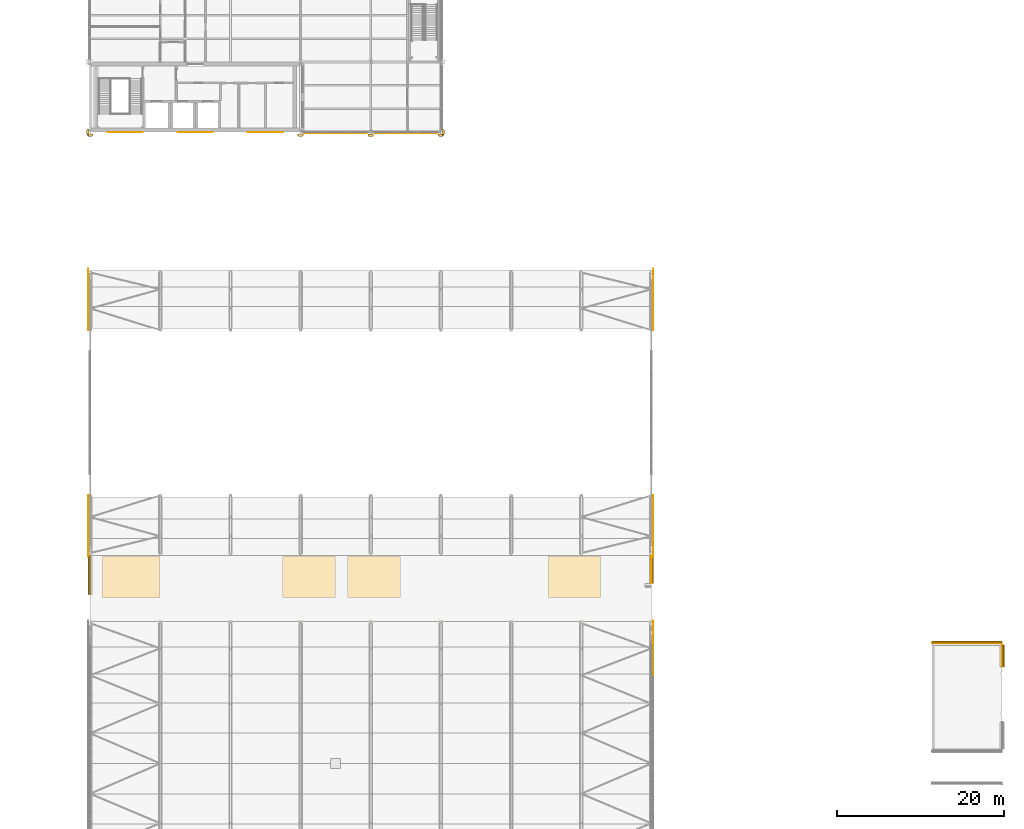
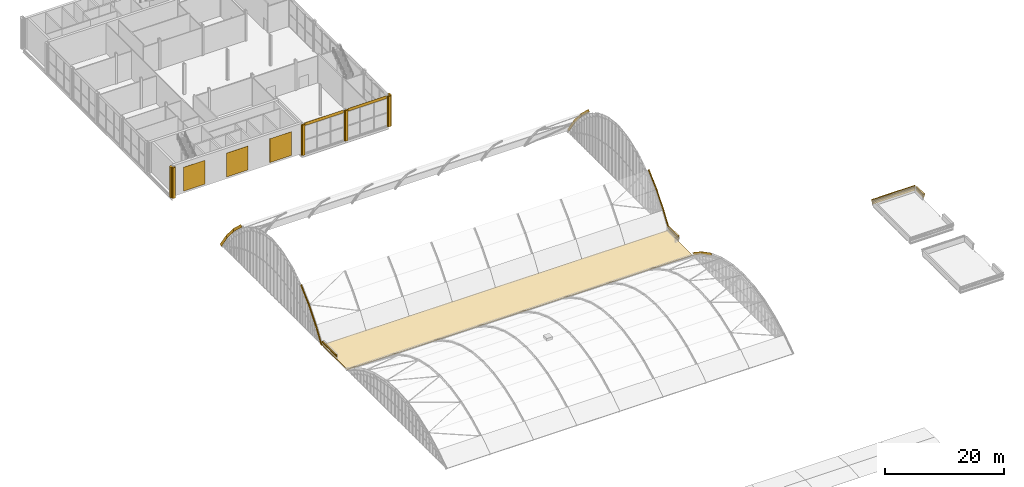
# One storey, part 71 of 77: 41 coverings.
"""IFC4 building model written with IfcOpenShell, lengths in metres."""

from ifc_helpers import new_model, si_unit, direction, frame, origin, origin_2d, place, context, subcontext, project, spatial, polyline, rectangle, outline, extrude, material, layer, layer_set, type_object, element, save


model = new_model("IFC4")

# Units and contexts
model_context = context("Model", 3, precision=1e-05, world=origin(), true_north=direction((0.0, 1.0)))
body_context = subcontext(model_context, "Body", "Model", "MODEL_VIEW")
ifc_project = project(units=[si_unit("LENGTHUNIT", "METRE"), si_unit("AREAUNIT", "SQUARE_METRE"), si_unit("VOLUMEUNIT", "CUBIC_METRE"), si_unit("PLANEANGLEUNIT", "RADIAN"), si_unit("MASSUNIT", "GRAM", prefix="KILO")], contexts=[model_context])

# Site, building, storey
site_placement = place(None, origin())
site = spatial("IfcSite", under=ifc_project, at=site_placement, CompositionType="ELEMENT")
building_placement = place(site_placement, origin())
building = spatial("IfcBuilding", under=site, at=building_placement, Name="Catenary Quay Ferry Terminal", CompositionType="ELEMENT")
storey_placement = place(building_placement, frame((0.0, 0.0, 10.800048828125)))
storey = spatial("IfcBuildingStorey", under=building, at=storey_placement, Name="L02", CompositionType="ELEMENT", Elevation=10.800048828125)

# Coverings
ifc_material_1 = material(Name="Pale glazed ceramic tile")
ifc_layer_1 = layer(ifc_material_1, 0.0400390625)
ifc_layer_set_1 = layer_set([ifc_layer_1], Name="AR1")
covering_type_1 = type_object("IfcCoveringType", Name="AR1", PredefinedType="CLADDING", material=ifc_layer_set_1)
covering_1_placement = place(storey_placement, frame((92.603271484375, 94.764892578125, 4.14208984375), z_axis=(-1.0, 0.0, 0.0), x_axis=(0.0, 0.88758305277, -0.460647722708)))
element("IfcCovering", 1, at=covering_1_placement, inside=storey, type_object=covering_type_1, Name="Archivolt band, arrivals vault gable", PredefinedType="CLADDING", context=body_context, shape_type="SweptSolid", body=[
    extrude(outline(polyline([(0.0, 0.0), (3.6861097171876316, 0.0), (3.6587060927403625, 0.4999822377870389), (0.031019106121032147, 0.5001932733444822), (0.0, 0.0)])), origin(), (0.0, 0.0, -1.0), 0.0400390625),
])
covering_2_placement = place(storey_placement, frame((92.603271484375, 98.03662109375, 2.444091796875), z_axis=(-1.0, 0.0, 0.0), x_axis=(0.0, 0.83193723862, -0.55486974237)))
element("IfcCovering", 2, at=covering_2_placement, inside=storey, type_object=covering_type_1, Name="Archivolt band, arrivals vault gable", PredefinedType="CLADDING", context=body_context, shape_type="SweptSolid", body=[
    extrude(outline(polyline([(0.0, 0.0), (3.655049134979624, 2.220446049250313e-16), (3.655151024121685, 0.4999885453955979), (0.027389996373159503, 0.4999829845445347), (0.0, 0.0)])), origin(), (0.0, 0.0, -1.0), 0.0400390625),
])
covering_3_placement = place(storey_placement, frame((24.996826171875, 109.199951171875, 0.0), z_axis=(1.0, 0.0, 0.0), x_axis=(0.0, 0.561336762899, 0.827587480945)))
element("IfcCovering", 3, at=covering_3_placement, inside=storey, type_object=covering_type_1, Name="Archivolt band, departure vault gable", PredefinedType="CLADDING", context=body_context, shape_type="SweptSolid", body=[
    extrude(outline(polyline([(0.0, 0.0), (3.589889086083187, 2.220446049250313e-16), (3.6138558580286704, 0.5000607968456283), (6.342528629216249e-05, 0.5000727679533288), (0.0, 0.0)])), origin(), (0.0, 0.0, -1.0), 0.0400390625),
])
covering_4_placement = place(storey_placement, frame((24.996826171875, 111.215087890625, 2.970947265625), z_axis=(1.0, 0.0, 0.0), x_axis=(0.0, 0.638329973705, 0.769762849629)))
element("IfcCovering", 4, at=covering_4_placement, inside=storey, type_object=covering_type_1, Name="Archivolt band, departure vault gable", PredefinedType="CLADDING", context=body_context, shape_type="SweptSolid", body=[
    extrude(outline(polyline([(0.0, 0.0), (3.5906071811031364, 0.0), (3.622041023568639, 0.5002260090818236), (-0.02423903539631933, 0.5000476735896562), (0.0, 0.0)])), origin(), (0.0, 0.0, -1.0), 0.0400390625),
])
covering_5_placement = place(storey_placement, frame((24.996826171875, 113.507080078125, 5.73486328125), z_axis=(1.0, 0.0, 0.0), x_axis=(0.0, 0.729556292242, 0.683920767669)))
element("IfcCovering", 5, at=covering_5_placement, inside=storey, type_object=covering_type_1, Name="Archivolt band, departure vault gable", PredefinedType="CLADDING", context=body_context, shape_type="SweptSolid", body=[
    extrude(outline(polyline([(0.0, 0.0), (3.589711324845669, 0.0), (3.6307405176421215, 0.4999772498289885), (-0.03135013105262563, 0.5002312624147534), (0.0, 0.0)])), origin(), (0.0, 0.0, -1.0), 0.0400390625),
])
covering_6_placement = place(storey_placement, frame((24.996826171875, 135.8740234375, 8.18994140625), z_axis=(1.0, 0.0, 0.0), x_axis=(0.0, 0.729556292242, -0.683920767669)))
element("IfcCovering", 6, at=covering_6_placement, inside=storey, type_object=covering_type_1, Name="Archivolt band, departure vault gable", PredefinedType="CLADDING", context=body_context, shape_type="SweptSolid", body=[
    extrude(outline(polyline([(0.0, 0.0), (3.589711324845669, 0.0), (3.621061455898295, 0.5002312624147536), (-0.041029192796452174, 0.49997724982898845), (0.0, 0.0)])), origin(), (0.0, 0.0, -1.0), 0.0400390625),
])
covering_7_placement = place(storey_placement, frame((24.996826171875, 138.492919921875, 5.73486328125), z_axis=(1.0, 0.0, 0.0), x_axis=(0.0, 0.638329973705, -0.769762849629)))
element("IfcCovering", 7, at=covering_7_placement, inside=storey, type_object=covering_type_1, Name="Archivolt band, departure vault gable", PredefinedType="CLADDING", context=body_context, shape_type="SweptSolid", body=[
    extrude(outline(polyline([(0.0, 0.0), (3.5906071811031364, 0.0), (3.6148462164994557, 0.5000476735896562), (-0.031433842465502404, 0.5002260090818236), (0.0, 0.0)])), origin(), (0.0, 0.0, -1.0), 0.0400390625),
])
covering_8_placement = place(storey_placement, frame((24.996826171875, 140.784912109375, 2.970947265625), z_axis=(1.0, 0.0, 0.0), x_axis=(0.0, 0.561336762899, -0.827587480945)))
element("IfcCovering", 8, at=covering_8_placement, inside=storey, type_object=covering_type_1, Name="Archivolt band, departure vault gable", PredefinedType="CLADDING", context=body_context, shape_type="SweptSolid", body=[
    extrude(outline(polyline([(0.0, 0.0), (3.589889086083187, -2.220446049250313e-16), (3.589825660796895, 0.5000727679533286), (-0.023966771945483523, 0.5000607968456281), (0.0, 0.0)])), origin(), (0.0, 0.0, -1.0), 0.0400390625),
])
covering_9_placement = place(storey_placement, frame((92.603271484375, 108.7861328125, 0.28076171875), z_axis=(-1.0, 0.0, 0.0), x_axis=(0.0, 0.561339504376, 0.827585621448)))
element("IfcCovering", 9, at=covering_9_placement, inside=storey, type_object=covering_type_1, Name="Archivolt band, departure vault gable", PredefinedType="CLADDING", context=body_context, shape_type="SweptSolid", body=[
    extrude(outline(polyline([(0.0, 0.0), (3.6137924327622066, 0.0), (3.589827317326399, 0.5000608762356038), (-6.17687370918496e-05, 0.5000727681606887), (0.0, 0.0)])), origin(), (0.0, 0.0, -1.0), 0.0400390625),
])
covering_10_placement = place(storey_placement, frame((92.603271484375, 110.814697265625, 3.271484375), z_axis=(-1.0, 0.0, 0.0), x_axis=(0.0, 0.638292324699, 0.769794068716)))
element("IfcCovering", 10, at=covering_10_placement, inside=storey, type_object=covering_type_1, Name="Archivolt band, departure vault gable", PredefinedType="CLADDING", context=body_context, shape_type="SweptSolid", body=[
    extrude(outline(polyline([(0.0, 0.0), (3.6462800633260533, -2.220446049250313e-16), (3.6148217554018123, 0.5002244710893484), (0.024214578593183933, 0.5000488584957733), (0.0, 0.0)])), origin(), (0.0, 0.0, -1.0), 0.0400390625),
])
covering_11_placement = place(storey_placement, frame((92.603271484375, 113.14208984375, 6.078369140625), z_axis=(-1.0, 0.0, 0.0), x_axis=(0.0, 0.729603729095, 0.683870162012)))
element("IfcCovering", 11, at=covering_11_placement, inside=storey, type_object=covering_type_1, Name="Archivolt band, departure vault gable", PredefinedType="CLADDING", context=body_context, shape_type="SweptSolid", body=[
    extrude(outline(polyline([(0.0, 0.0), (3.6620906575042493, 0.0), (3.621096144590787, 0.499980094522847), (0.03138482838050499, 0.5002290866808936), (0.0, 0.0)])), origin(), (0.0, 0.0, -1.0), 0.0400390625),
])
covering_12_placement = place(storey_placement, frame((92.603271484375, 136.18603515625, 8.582763671875), z_axis=(-1.0, 0.0, 0.0), x_axis=(0.0, 0.729603729095, -0.683870162012)))
element("IfcCovering", 12, at=covering_12_placement, inside=storey, type_object=covering_type_1, Name="Archivolt band, departure vault gable", PredefinedType="CLADDING", context=body_context, shape_type="SweptSolid", body=[
    extrude(outline(polyline([(0.0, 0.0), (3.6620906575042493, 0.0), (3.6307058291237446, 0.5002290866808936), (0.040994512913462594, 0.4999800945228471), (0.0, 0.0)])), origin(), (0.0, 0.0, -1.0), 0.0400390625),
])
covering_13_placement = place(storey_placement, frame((92.603271484375, 138.85791015625, 6.078369140625), z_axis=(-1.0, 0.0, 0.0), x_axis=(0.0, 0.638292324699, -0.769794068716)))
element("IfcCovering", 13, at=covering_13_placement, inside=storey, type_object=covering_type_1, Name="Archivolt band, departure vault gable", PredefinedType="CLADDING", context=body_context, shape_type="SweptSolid", body=[
    extrude(outline(polyline([(0.0, 0.0), (3.6462800633260533, 2.220446049250313e-16), (3.6220654847328695, 0.5000488584957736), (0.03145830792424098, 0.5002244710893484), (0.0, 0.0)])), origin(), (0.0, 0.0, -1.0), 0.0400390625),
])
covering_14_placement = place(storey_placement, frame((92.603271484375, 141.185302734375, 3.271484375), z_axis=(-1.0, 0.0, 0.0), x_axis=(0.0, 0.561339504376, -0.827585621448)))
element("IfcCovering", 14, at=covering_14_placement, inside=storey, type_object=covering_type_1, Name="Archivolt band, departure vault gable", PredefinedType="CLADDING", context=body_context, shape_type="SweptSolid", body=[
    extrude(outline(polyline([(0.0, 0.0), (3.6137924327622066, 0.0), (3.6138542014992985, 0.5000727681606889), (0.02396511543580776, 0.5000608762356037), (0.0, 0.0)])), origin(), (0.0, 0.0, -1.0), 0.0400390625),
])
ifc_material_2 = material(Name="Ceramic tile")
ifc_layer_2 = layer(ifc_material_2, 0.0400390625)
ifc_layer_set_2 = layer_set([ifc_layer_2], Name="CL2")
covering_type_2 = type_object("IfcCoveringType", Name="CL2", PredefinedType="CLADDING", material=ifc_layer_set_2)
covering_15_placement = place(storey_placement, origin())
element("IfcCovering", 15, at=covering_15_placement, inside=storey, type_object=covering_type_2, Name="Ceramic pier casing", PredefinedType="CLADDING", context=body_context, shape_type="SweptSolid", body=[
    extrude(outline(polyline([(25.050048828125, 159.949951171875), (24.8701171875, 159.949951171875), (24.8701171875, 159.85009765625), (24.75, 159.85009765625), (24.75, 159.35009765625), (24.8701171875, 159.35009765625), (24.8701171875, 159.25), (25.050048828125, 159.25), (25.050048828125, 159.949951171875)])), origin(), (0.0, 0.0, 1.0), 6.300048828125),
])
covering_16_placement = place(storey_placement, origin())
element("IfcCovering", 16, at=covering_16_placement, inside=storey, type_object=covering_type_2, Name="Ceramic pier casing", PredefinedType="CLADDING", context=body_context, shape_type="SweptSolid", body=[
    extrude(outline(polyline([(24.85009765625, 159.35009765625), (24.85009765625, 159.169921875), (24.949951171875, 159.169921875), (24.949951171875, 159.050048828125), (25.449951171875, 159.050048828125), (25.449951171875, 159.169921875), (25.550048828125, 159.169921875), (25.550048828125, 159.35009765625), (24.85009765625, 159.35009765625)])), origin(), (0.0, 0.0, 1.0), 6.300048828125),
])
covering_17_placement = place(storey_placement, origin())
element("IfcCovering", 17, at=covering_17_placement, inside=storey, type_object=covering_type_2, Name="Ceramic pier casing", PredefinedType="CLADDING", context=body_context, shape_type="SweptSolid", body=[
    extrude(outline(polyline([(50.050048828125, 159.35009765625), (50.050048828125, 159.169921875), (50.14990234375, 159.169921875), (50.14990234375, 159.050048828125), (50.64990234375, 159.050048828125), (50.64990234375, 159.169921875), (50.75, 159.169921875), (50.75, 159.35009765625), (50.050048828125, 159.35009765625)])), origin(), (0.0, 0.0, 1.0), 6.300048828125),
])
covering_18_placement = place(storey_placement, origin())
element("IfcCovering", 18, at=covering_18_placement, inside=storey, type_object=covering_type_2, Name="Ceramic pier casing", PredefinedType="CLADDING", context=body_context, shape_type="SweptSolid", body=[
    extrude(outline(polyline([(58.449951171875, 159.39990234375), (58.449951171875, 159.219970703125), (58.550048828125, 159.219970703125), (58.550048828125, 159.10009765625), (59.050048828125, 159.10009765625), (59.050048828125, 159.219970703125), (59.14990234375, 159.219970703125), (59.14990234375, 159.39990234375), (58.449951171875, 159.39990234375)])), origin(), (0.0, 0.0, 1.0), 6.300048828125),
])
covering_19_placement = place(storey_placement, origin())
element("IfcCovering", 19, at=covering_19_placement, inside=storey, type_object=covering_type_2, Name="Ceramic pier casing", PredefinedType="CLADDING", context=body_context, shape_type="SweptSolid", body=[
    extrude(outline(polyline([(67.35009765625, 159.25), (67.530029296875, 159.25), (67.530029296875, 159.35009765625), (67.64990234375, 159.35009765625), (67.64990234375, 159.85009765625), (67.530029296875, 159.85009765625), (67.530029296875, 159.949951171875), (67.35009765625, 159.949951171875), (67.35009765625, 159.25)])), origin(), (0.0, 0.0, 1.0), 6.300048828125),
])
covering_20_placement = place(storey_placement, origin())
element("IfcCovering", 20, at=covering_20_placement, inside=storey, type_object=covering_type_2, Name="Ceramic pier casing", PredefinedType="CLADDING", context=body_context, shape_type="SweptSolid", body=[
    extrude(outline(polyline([(66.85009765625, 159.39990234375), (66.85009765625, 159.219970703125), (66.949951171875, 159.219970703125), (66.949951171875, 159.10009765625), (67.449951171875, 159.10009765625), (67.449951171875, 159.219970703125), (67.550048828125, 159.219970703125), (67.550048828125, 159.39990234375), (66.85009765625, 159.39990234375)])), origin(), (0.0, 0.0, 1.0), 6.300048828125),
])
ifc_material_3 = material(Name="Ceramic tile")
ifc_layer_3 = layer(ifc_material_3, 0.034912109375)
ifc_layer_set_3 = layer_set([ifc_layer_3], Name="CL5")
covering_type_3 = type_object("IfcCoveringType", Name="CL5", PredefinedType="CLADDING", material=ifc_layer_set_3)
for number, where, z_axis, x_axis, name in (
    (21, (29.39990234375, 159.58251953125, 0.39990234375), (0.0, 0.0, 1.0), (1.0, 0.0, 0.0), "Core h159.6 cladding CV341"),
    (22, (37.800048828125, 159.58251953125, 0.39990234375), (0.0, 0.0, 1.0), (1.0, 0.0, 0.0), "Core h159.6 cladding CV342"),
    (23, (46.199951171875, 159.58251953125, 0.39990234375), (0.0, 0.0, 1.0), (1.0, 0.0, 0.0), "Core h159.6 cladding CV343"),
):
    element("IfcCovering", number, at=place(storey_placement, frame(where, z_axis=z_axis, x_axis=x_axis)), inside=storey, type_object=covering_type_3, Name=name, PredefinedType="CLADDING", context=body_context, shape_type="SweptSolid", body=[
        extrude(rectangle(XDim=4.199951171875, YDim=0.034912109375, at=origin_2d()), origin(), (0.0, 0.0, 1.0), 4.89990234375),
    ])
ifc_material_4 = material(Name="Glazed ceramic tile, ochre")
ifc_layer_4 = layer(ifc_material_4, 0.030029296875)
ifc_layer_set_4 = layer_set([ifc_layer_4], Name="CL6")
covering_type_4 = type_object("IfcCoveringType", Name="CL6", PredefinedType="CLADDING", material=ifc_layer_set_4)
for number, where, z_axis, x_axis, name in (
    (24, (54.60009765625, 159.480712890625, 5.699951171875), (0.0, 0.0, 1.0), (1.0, 0.0, 0.0), "Band wing h159.6 cladding CV344"),
    (25, (63.0, 159.480712890625, 5.699951171875), (0.0, 0.0, 1.0), (1.0, 0.0, 0.0), "Band wing h159.6 cladding CV345"),
):
    element("IfcCovering", number, at=place(storey_placement, frame(where, z_axis=z_axis, x_axis=x_axis)), inside=storey, type_object=covering_type_4, Name=name, PredefinedType="CLADDING", context=body_context, shape_type="SweptSolid", body=[
        extrude(rectangle(XDim=7.5, YDim=0.030029296875, at=origin_2d()), origin(), (0.0, 0.0, 1.0), 0.60009765625),
    ])
ifc_material_5 = material(Name="Facing brick", Category="masonry")
ifc_layer_5 = layer(ifc_material_5, 0.10009765625)
ifc_layer_set_5 = layer_set([ifc_layer_5], Name="CN1")
covering_type_5 = type_object("IfcCoveringType", Name="CN1", PredefinedType="CLADDING", material=ifc_layer_set_5)
covering_21_placement = place(storey_placement, frame((130.199951171875, 98.4375, 0.64990234375), z_axis=(0.0, 0.0, 1.0), x_axis=(1.0, 0.0, 0.0)))
element("IfcCovering", 26, at=covering_21_placement, inside=storey, type_object=covering_type_5, Name="Brick corbelled cornice", PredefinedType="CLADDING", context=body_context, shape_type="SweptSolid", body=[
    extrude(rectangle(XDim=8.360107421875, YDim=0.074951171875, at=origin_2d()), origin(), (0.0, 0.0, 1.0), 0.14990234375),
])
covering_22_placement = place(storey_placement, frame((130.199951171875, 98.47509765625, 0.800048828125), z_axis=(0.0, 0.0, 1.0), x_axis=(1.0, 0.0, 0.0)))
element("IfcCovering", 27, at=covering_22_placement, inside=storey, type_object=covering_type_5, Name="Brick corbelled cornice", PredefinedType="CLADDING", context=body_context, shape_type="SweptSolid", body=[
    extrude(rectangle(XDim=8.360107421875, YDim=0.14990234375, at=origin_2d()), origin(), (0.0, 0.0, 1.0), 0.14990234375),
])
covering_23_placement = place(storey_placement, frame((130.199951171875, 98.512451171875, 0.949951171875), z_axis=(0.0, 0.0, 1.0), x_axis=(1.0, 0.0, 0.0)))
element("IfcCovering", 28, at=covering_23_placement, inside=storey, type_object=covering_type_5, Name="Brick corbelled cornice", PredefinedType="CLADDING", context=body_context, shape_type="SweptSolid", body=[
    extrude(rectangle(XDim=8.360107421875, YDim=0.22509765625, at=origin_2d()), origin(), (0.0, 0.0, 1.0), 0.14990234375),
])
covering_24_placement = place(storey_placement, frame((134.4375, 96.85009765625, 0.64990234375), z_axis=(0.0, 0.0, 1.0), x_axis=(1.0, 0.0, 0.0)))
element("IfcCovering", 29, at=covering_24_placement, inside=storey, type_object=covering_type_5, Name="Brick corbelled cornice", PredefinedType="CLADDING", context=body_context, shape_type="SweptSolid", body=[
    extrude(rectangle(XDim=0.074951171875, YDim=2.56005859375, at=origin_2d()), origin(), (0.0, 0.0, 1.0), 0.14990234375),
])
covering_25_placement = place(storey_placement, frame((134.47509765625, 96.85009765625, 0.800048828125), z_axis=(0.0, 0.0, 1.0), x_axis=(1.0, 0.0, 0.0)))
element("IfcCovering", 30, at=covering_25_placement, inside=storey, type_object=covering_type_5, Name="Brick corbelled cornice", PredefinedType="CLADDING", context=body_context, shape_type="SweptSolid", body=[
    extrude(rectangle(XDim=0.14990234375, YDim=2.56005859375, at=origin_2d()), origin(), (0.0, 0.0, 1.0), 0.14990234375),
])
covering_26_placement = place(storey_placement, frame((134.512451171875, 96.85009765625, 0.949951171875), z_axis=(0.0, 0.0, 1.0), x_axis=(1.0, 0.0, 0.0)))
element("IfcCovering", 31, at=covering_26_placement, inside=storey, type_object=covering_type_5, Name="Brick corbelled cornice", PredefinedType="CLADDING", context=body_context, shape_type="SweptSolid", body=[
    extrude(rectangle(XDim=0.22509765625, YDim=2.56005859375, at=origin_2d()), origin(), (0.0, 0.0, 1.0), 0.14990234375),
])
covering_27_placement = place(storey_placement, frame((25.16259765625, 106.574951171875, 0.64990234375), z_axis=(0.0, 0.0, 1.0), x_axis=(1.0, 0.0, 0.0)))
element("IfcCovering", 32, at=covering_27_placement, inside=storey, type_object=covering_type_5, Name="Brick corbelled cornice", PredefinedType="CLADDING", context=body_context, shape_type="SweptSolid", body=[
    extrude(rectangle(XDim=0.074951171875, YDim=4.610107421875, at=origin_2d()), origin(), (0.0, 0.0, 1.0), 0.14990234375),
])
covering_28_placement = place(storey_placement, frame((25.125, 106.574951171875, 0.800048828125), z_axis=(0.0, 0.0, 1.0), x_axis=(1.0, 0.0, 0.0)))
element("IfcCovering", 33, at=covering_28_placement, inside=storey, type_object=covering_type_5, Name="Brick corbelled cornice", PredefinedType="CLADDING", context=body_context, shape_type="SweptSolid", body=[
    extrude(rectangle(XDim=0.14990234375, YDim=4.610107421875, at=origin_2d()), origin(), (0.0, 0.0, 1.0), 0.14990234375),
])
covering_29_placement = place(storey_placement, frame((25.08740234375, 106.574951171875, 0.949951171875), z_axis=(0.0, 0.0, 1.0), x_axis=(1.0, 0.0, 0.0)))
element("IfcCovering", 34, at=covering_29_placement, inside=storey, type_object=covering_type_5, Name="Brick corbelled cornice", PredefinedType="CLADDING", context=body_context, shape_type="SweptSolid", body=[
    extrude(rectangle(XDim=0.22509765625, YDim=4.610107421875, at=origin_2d()), origin(), (0.0, 0.0, 1.0), 0.14990234375),
])
covering_30_placement = place(storey_placement, frame((92.4375, 107.22509765625, 0.64990234375), z_axis=(0.0, 0.0, 1.0), x_axis=(1.0, 0.0, 0.0)))
element("IfcCovering", 35, at=covering_30_placement, inside=storey, type_object=covering_type_5, Name="Brick corbelled cornice", PredefinedType="CLADDING", context=body_context, shape_type="SweptSolid", body=[
    extrude(rectangle(XDim=0.074951171875, YDim=3.31005859375, at=origin_2d()), origin(), (0.0, 0.0, 1.0), 0.14990234375),
])
covering_31_placement = place(storey_placement, frame((92.47509765625, 107.22509765625, 0.800048828125), z_axis=(0.0, 0.0, 1.0), x_axis=(1.0, 0.0, 0.0)))
element("IfcCovering", 36, at=covering_31_placement, inside=storey, type_object=covering_type_5, Name="Brick corbelled cornice", PredefinedType="CLADDING", context=body_context, shape_type="SweptSolid", body=[
    extrude(rectangle(XDim=0.14990234375, YDim=3.31005859375, at=origin_2d()), origin(), (0.0, 0.0, 1.0), 0.14990234375),
])
covering_32_placement = place(storey_placement, frame((92.512451171875, 107.22509765625, 0.949951171875), z_axis=(0.0, 0.0, 1.0), x_axis=(1.0, 0.0, 0.0)))
element("IfcCovering", 37, at=covering_32_placement, inside=storey, type_object=covering_type_5, Name="Brick corbelled cornice", PredefinedType="CLADDING", context=body_context, shape_type="SweptSolid", body=[
    extrude(rectangle(XDim=0.22509765625, YDim=3.31005859375, at=origin_2d()), origin(), (0.0, 0.0, 1.0), 0.14990234375),
])
ifc_material_6 = material(Name="Ceramic tile")
ifc_layer_6 = layer(ifc_material_6, 0.030029296875)
ifc_layer_set_6 = layer_set([ifc_layer_6], Name="FR1")
covering_type_6 = type_object("IfcCoveringType", Name="FR1", PredefinedType="CLADDING", material=ifc_layer_set_6)
covering_33_placement = place(storey_placement, frame((130.199951171875, 98.4150390625, 0.2001953125), z_axis=(0.0, 0.0, 1.0), x_axis=(1.0, 0.0, 0.0)))
element("IfcCovering", 38, at=covering_33_placement, inside=storey, type_object=covering_type_6, Name="Glazed tile frieze", PredefinedType="CLADDING", context=body_context, shape_type="SweptSolid", body=[
    extrude(rectangle(XDim=8.360107421875, YDim=0.030029296875, at=origin_2d()), origin(), (0.0, 0.0, 1.0), 0.449951171875),
])
covering_34_placement = place(storey_placement, frame((134.4150390625, 96.85009765625, 0.2001953125), z_axis=(0.0, 0.0, 1.0), x_axis=(1.0, 0.0, 0.0)))
element("IfcCovering", 39, at=covering_34_placement, inside=storey, type_object=covering_type_6, Name="Glazed tile frieze", PredefinedType="CLADDING", context=body_context, shape_type="SweptSolid", body=[
    extrude(rectangle(XDim=0.030029296875, YDim=2.56005859375, at=origin_2d()), origin(), (0.0, 0.0, 1.0), 0.449951171875),
])
covering_35_placement = place(storey_placement, frame((92.4150390625, 107.22509765625, 0.2001953125), z_axis=(0.0, 0.0, 1.0), x_axis=(1.0, 0.0, 0.0)))
element("IfcCovering", 40, at=covering_35_placement, inside=storey, type_object=covering_type_6, Name="Glazed tile frieze", PredefinedType="CLADDING", context=body_context, shape_type="SweptSolid", body=[
    extrude(rectangle(XDim=0.030029296875, YDim=3.31005859375, at=origin_2d()), origin(), (0.0, 0.0, 1.0), 0.449951171875),
])
ifc_material_7 = material(Name="Roofing")
ifc_layer_7 = layer(ifc_material_7, 0.14990234375)
ifc_layer_set_7 = layer_set([ifc_layer_7], Name="RF3")
covering_type_7 = type_object("IfcCoveringType", Name="RF3", PredefinedType="ROOFING", material=ifc_layer_set_7)
covering_36_placement = place(storey_placement, origin())
element("IfcCovering", 41, at=covering_36_placement, inside=storey, type_object=covering_type_7, Name="Spine roofing CV376", PredefinedType="ROOFING", context=body_context, shape_type="SweptSolid", body=[
    extrude(outline(polyline([(25.199951171875, 100.800048828125), (92.39990234375, 100.800048828125), (92.39990234375, 109.199951171875), (25.199951171875, 109.199951171875), (25.199951171875, 100.800048828125)])), origin(), (0.0, 0.0, 1.0), 0.14990234375),
])

save(model, "model.ifc")
